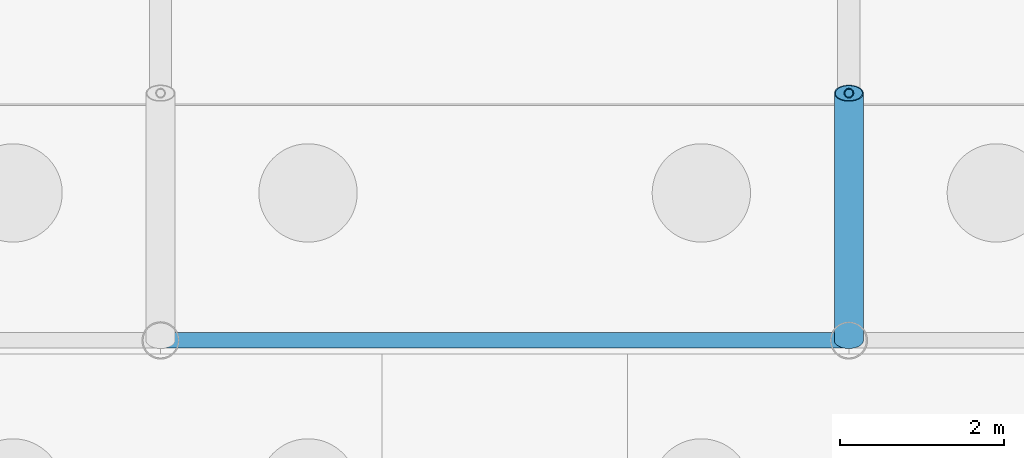
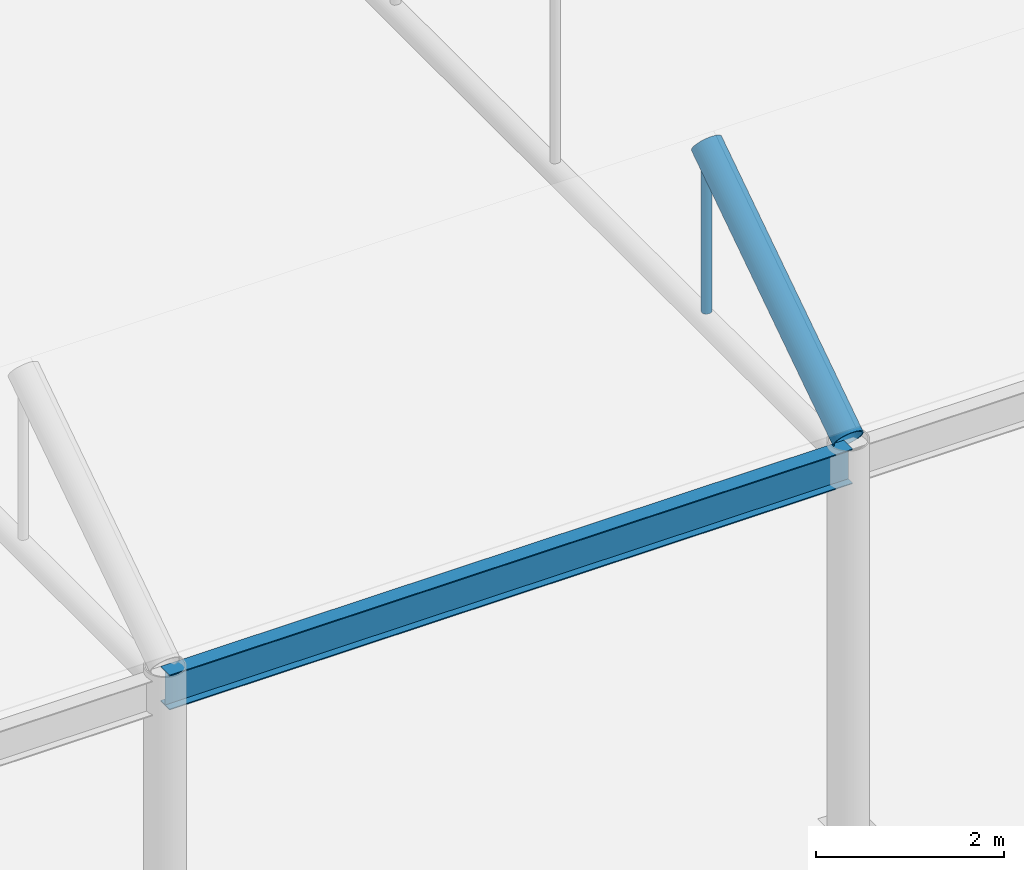
# One storey, part 62 of 212: 2 members, 1 beam.
"""IFC4 building model written with IfcOpenShell, lengths in metres."""

from ifc_helpers import new_model, si_unit, direction, frame, origin, origin_2d, place, context, subcontext, project, spatial, hollow_circle, i_section, extrude, material, material_profile, profile_set, type_object, element, save


model = new_model("IFC4")

# Units and contexts
model_context = context("Model", 3, precision=1e-05, world=origin(), true_north=direction((0.0, 1.0)))
body_context = subcontext(model_context, "Body", "Model", "MODEL_VIEW")
ifc_project = project(units=[si_unit("LENGTHUNIT", "METRE"), si_unit("AREAUNIT", "SQUARE_METRE"), si_unit("VOLUMEUNIT", "CUBIC_METRE"), si_unit("PLANEANGLEUNIT", "RADIAN"), si_unit("MASSUNIT", "GRAM", prefix="KILO")], contexts=[model_context])

# Site, building, storey
site_placement = place(None, origin())
site = spatial("IfcSite", under=ifc_project, at=site_placement, CompositionType="ELEMENT")
building_placement = place(site_placement, origin())
building = spatial("IfcBuilding", under=site, at=building_placement, Name="Catenary Quay Ferry Terminal", CompositionType="ELEMENT")
storey_placement = place(building_placement, origin())
storey = spatial("IfcBuildingStorey", under=building, at=storey_placement, Name="L00", CompositionType="ELEMENT", Elevation=0.0)

# Beam
ifc_material_1 = material(Name="Steel S355", Category="steel")
ifc_material_profile_1 = material_profile(ifc_material_1, i_section(OverallWidth=0.18994140625, OverallDepth=0.453369140625, WebThickness=0.008544921875, FlangeThickness=0.0126953125, at=origin_2d()), Name="UB 457x191x67")
ifc_profile_set_1 = profile_set([ifc_material_profile_1], Name="Steel S355")
beam_type = type_object("IfcBeamType", Name="B1 UB 457x191x67", PredefinedType="BEAM", material=ifc_profile_set_1)
beam_placement = place(storey_placement, frame((75.60009765625, 16.800048828125, 4.699951171875), z_axis=(1.0, 0.0, 0.0), x_axis=(0.0, 1.0, 0.0)))
element("IfcBeam", 1, at=beam_placement, inside=storey, type_object=beam_type, Name="Eaves beam B-CA3-8", PredefinedType="BEAM", context=body_context, shape_type="SweptSolid", body=[
    extrude(i_section(OverallWidth=0.18994140625, OverallDepth=0.453369140625, WebThickness=0.008544921875, FlangeThickness=0.0126953125, at=origin_2d()), origin(), (0.0, 0.0, 1.0), 8.39990234375),
])

# Members
ifc_material_2 = material(Name="Steel S355", Category="steel")
ifc_material_profile_2 = material_profile(ifc_material_2, hollow_circle(Radius=0.05712890625, WallThickness=0.00634765625, at=origin_2d()), Name="CHS 114.3x6.3")
ifc_profile_set_2 = profile_set([ifc_material_profile_2], Name="Steel S355")
member_type_1 = type_object("IfcMemberType", Name="HG1 CHS 114.3x6.3", PredefinedType="POST", material=ifc_profile_set_2)
member_1_placement = place(storey_placement, frame((84.0, 19.818115234375, 4.830078125), z_axis=(0.0, 0.0, 1.0), x_axis=(1.0, 0.0, 0.0)))
element("IfcMember", 2, at=member_1_placement, inside=storey, type_object=member_type_1, Name="Hanger CA-09-01", PredefinedType="POST", context=body_context, shape_type="SweptSolid", body=[
    extrude(hollow_circle(Radius=0.05712890625, WallThickness=0.00634765625, at=origin_2d()), origin(), (0.0, 0.0, 1.0), 2.010986328125),
])
ifc_material_3 = material(Name="Steel S355", Category="steel")
ifc_material_profile_3 = material_profile(ifc_material_3, hollow_circle(Radius=0.177734375, WallThickness=0.012451171875, at=origin_2d()), Name="CHS 355.6x12.5")
ifc_profile_set_3 = profile_set([ifc_material_profile_3], Name="Steel S355")
member_type_2 = type_object("IfcMemberType", Name="VR1 CHS 355.6x12.5", PredefinedType="RAFTER", material=ifc_profile_set_3)
member_2_placement = place(storey_placement, frame((84.0, 16.800048828125, 5.0), z_axis=(0.0, 0.831936388081, 0.554871017613), x_axis=(-1.0, 0.0, 0.0)))
element("IfcMember", 3, at=member_2_placement, inside=storey, type_object=member_type_2, Name="rib CA-09-01", PredefinedType="RAFTER", context=body_context, shape_type="SweptSolid", body=[
    extrude(hollow_circle(Radius=0.177734375, WallThickness=0.012451171875, at=origin_2d()), origin(), (0.0, 0.0, 1.0), 3.627685546875),
])

save(model, "model.ifc")
